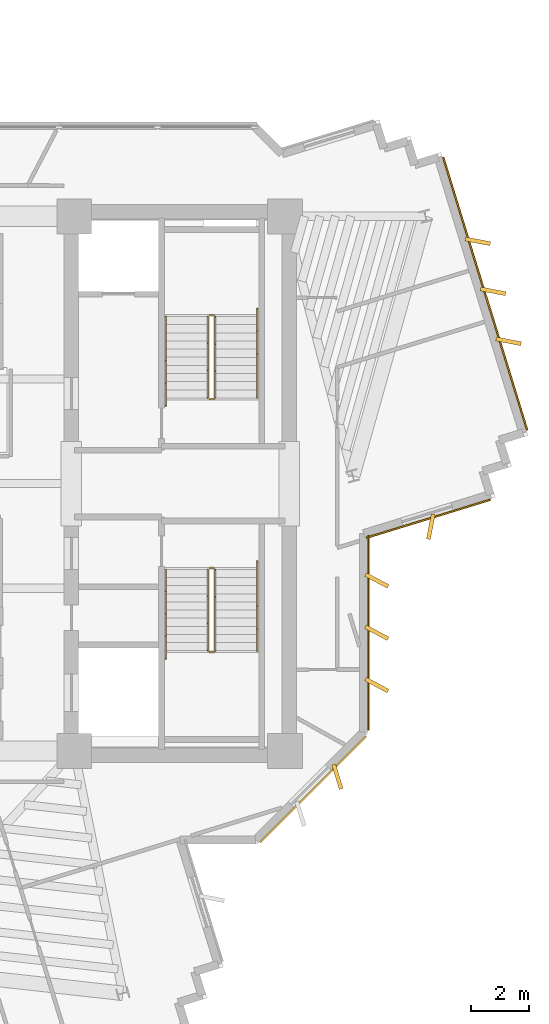
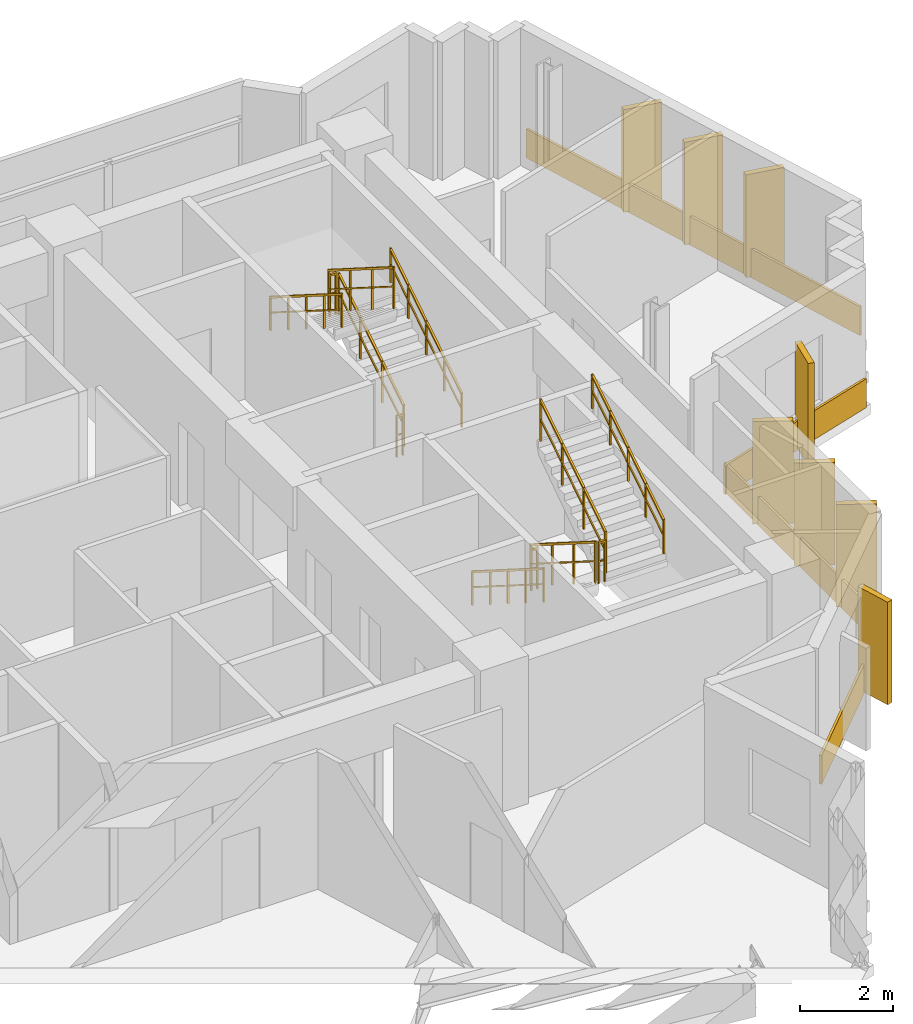
# One storey, part 12 of 13: 12 coverings, 12 railings.
"""IFC4 building model written with IfcOpenShell, lengths in metres."""

from ifc_helpers import new_model, si_unit, direction, frame, origin, origin_2d, place, context, subcontext, project, spatial, rectangle, extrude, source, transform, mapped, material, layer, layer_set, type_object, element, save


model = new_model("IFC4")

# Units and contexts
model_context = context("Model", 3, precision=1e-05, world=origin(), true_north=direction((0.0, 1.0)))
body_context = subcontext(model_context, "Body", "Model", "MODEL_VIEW")
ifc_project = project(units=[si_unit("LENGTHUNIT", "METRE"), si_unit("AREAUNIT", "SQUARE_METRE"), si_unit("VOLUMEUNIT", "CUBIC_METRE"), si_unit("PLANEANGLEUNIT", "RADIAN"), si_unit("MASSUNIT", "GRAM", prefix="KILO")], contexts=[model_context])

# Site, building, storey
site_placement = place(None, origin())
site = spatial("IfcSite", under=ifc_project, at=site_placement, CompositionType="ELEMENT")
building_placement = place(site_placement, origin())
building = spatial("IfcBuilding", under=site, at=building_placement, Name="Zahravan Cultural Tower", CompositionType="ELEMENT")
storey_placement = place(building_placement, frame((0.0, 0.0, 213.60009765625)))
storey = spatial("IfcBuildingStorey", under=building, at=storey_placement, Name="L50", CompositionType="ELEMENT", Elevation=213.60009765625)

# Railings
ifc_material_1 = material(Name="Steel ASTM A572 Grade 50", Category="steel")
railing_type_1 = type_object("IfcRailingType", Name="RL-STAIR-GRD1150", PredefinedType="BALUSTRADE", material=ifc_material_1)
railing_1_placement = place(storey_placement, frame((47.949951171875, 29.949951171875, 0.17724609375)))
element("IfcRailing", 1, at=railing_1_placement, inside=storey, type_object=railing_type_1, Name="L50 ST-E1 stair guard 1", PredefinedType="BALUSTRADE", context=body_context, shape_type="SweptSolid", body=[
    extrude(rectangle(XDim=0.05, YDim=0.05, at=origin_2d()), frame((0.0, 0.0, 1.0751953125), z_axis=(0.0, 0.844908973607, 0.534910110503), x_axis=(-1.0, 0.0, 0.0)), (0.0, 0.0, 1.0), 3.31396484375),
    extrude(rectangle(XDim=0.032, YDim=0.032, at=origin_2d()), frame((0.0, 0.0, 0.572021484375), z_axis=(0.0, 0.844908973607, 0.534910110503), x_axis=(-1.0, 0.0, 0.0)), (0.0, 0.0, 1.0), 3.31396484375),
    extrude(rectangle(XDim=0.04, YDim=0.04, at=origin_2d()), origin(), (0.0, 0.0, 1.0), 1.10009765625),
    extrude(rectangle(XDim=0.04, YDim=0.04, at=origin_2d()), frame((0.0, 0.933349609375, 0.5908203125)), (0.0, 0.0, 1.0), 1.10009765625),
    extrude(rectangle(XDim=0.04, YDim=0.04, at=origin_2d()), frame((0.0, 1.86669921875, 1.181884765625)), (0.0, 0.0, 1.0), 1.10009765625),
    extrude(rectangle(XDim=0.04, YDim=0.04, at=origin_2d()), frame((0.0, 2.800048828125, 1.772705078125)), (0.0, 0.0, 1.0), 1.10009765625),
])
railing_2_placement = place(storey_placement, frame((47.89990234375, 32.800048828125, 1.949951171875)))
element("IfcRailing", 2, at=railing_2_placement, inside=storey, type_object=railing_type_1, Name="L50 ST-E1 stair guard 2", PredefinedType="BALUSTRADE", context=body_context, shape_type="SweptSolid", body=[
    extrude(rectangle(XDim=0.05, YDim=0.05, at=origin_2d()), frame((0.0, 0.0, 1.0751953125), z_axis=(-1.0, 0.0, 0.0), x_axis=(0.0, -1.0, 0.0)), (0.0, 0.0, 1.0), 0.14990234375),
    extrude(rectangle(XDim=0.032, YDim=0.032, at=origin_2d()), frame((0.0, 0.0, 0.572021484375), z_axis=(-1.0, 0.0, 0.0), x_axis=(0.0, -1.0, 0.0)), (0.0, 0.0, 1.0), 0.14990234375),
    extrude(rectangle(XDim=0.04, YDim=0.04, at=origin_2d()), origin(), (0.0, 0.0, 1.0), 1.10009765625),
    extrude(rectangle(XDim=0.04, YDim=0.04, at=origin_2d()), frame((-0.14990234375, 0.0, 0.0)), (0.0, 0.0, 1.0), 1.10009765625),
])
railing_3_placement = place(storey_placement, frame((47.699951171875, 32.75, 2.127197265625)))
element("IfcRailing", 3, at=railing_3_placement, inside=storey, type_object=railing_type_1, Name="L50 ST-E1 stair guard 3", PredefinedType="BALUSTRADE", context=body_context, shape_type="SweptSolid", body=[
    extrude(rectangle(XDim=0.05, YDim=0.05, at=origin_2d()), frame((0.0, 0.0, 1.0751953125), z_axis=(0.0, -0.844908973607, 0.534910110503), x_axis=(1.0, 0.0, 0.0)), (0.0, 0.0, 1.0), 3.31396484375),
    extrude(rectangle(XDim=0.032, YDim=0.032, at=origin_2d()), frame((0.0, 0.0, 0.572021484375), z_axis=(0.0, -0.844908973607, 0.534910110503), x_axis=(1.0, 0.0, 0.0)), (0.0, 0.0, 1.0), 3.31396484375),
    extrude(rectangle(XDim=0.04, YDim=0.04, at=origin_2d()), origin(), (0.0, 0.0, 1.0), 1.10009765625),
    extrude(rectangle(XDim=0.04, YDim=0.04, at=origin_2d()), frame((0.0, -0.933349609375, 0.5908203125)), (0.0, 0.0, 1.0), 1.10009765625),
    extrude(rectangle(XDim=0.04, YDim=0.04, at=origin_2d()), frame((0.0, -1.86669921875, 1.181884765625)), (0.0, 0.0, 1.0), 1.10009765625),
    extrude(rectangle(XDim=0.04, YDim=0.04, at=origin_2d()), frame((0.0, -2.800048828125, 1.772705078125)), (0.0, 0.0, 1.0), 1.10009765625),
])
railing_4_placement = place(storey_placement, frame((47.89990234375, 29.89990234375, 0.0)))
element("IfcRailing", 4, at=railing_4_placement, inside=storey, type_object=railing_type_1, Name="L50 ST-E1 stair guard 4", PredefinedType="BALUSTRADE", context=body_context, shape_type="SweptSolid", body=[
    extrude(rectangle(XDim=0.05, YDim=0.05, at=origin_2d()), frame((0.0, 0.0, 1.0751953125), z_axis=(-1.0, 0.0, 0.0), x_axis=(0.0, -1.0, 0.0)), (0.0, 0.0, 1.0), 0.14990234375),
    extrude(rectangle(XDim=0.032, YDim=0.032, at=origin_2d()), frame((0.0, 0.0, 0.572021484375), z_axis=(-1.0, 0.0, 0.0), x_axis=(0.0, -1.0, 0.0)), (0.0, 0.0, 1.0), 0.14990234375),
    extrude(rectangle(XDim=0.04, YDim=0.04, at=origin_2d()), origin(), (0.0, 0.0, 1.0), 1.10009765625),
    extrude(rectangle(XDim=0.04, YDim=0.04, at=origin_2d()), frame((-0.14990234375, 0.0, 0.0)), (0.0, 0.0, 1.0), 1.10009765625),
])
railing_5_placement = place(storey_placement, frame((47.699951171875, 24.050048828125, 0.17724609375)))
element("IfcRailing", 5, at=railing_5_placement, inside=storey, type_object=railing_type_1, Name="L50 ST-E2 stair guard 1", PredefinedType="BALUSTRADE", context=body_context, shape_type="SweptSolid", body=[
    extrude(rectangle(XDim=0.05, YDim=0.05, at=origin_2d()), frame((0.0, 0.0, 1.0751953125), z_axis=(0.0, -0.844908973607, 0.534910110503), x_axis=(1.0, 0.0, 0.0)), (0.0, 0.0, 1.0), 3.31396484375),
    extrude(rectangle(XDim=0.032, YDim=0.032, at=origin_2d()), frame((0.0, 0.0, 0.572021484375), z_axis=(0.0, -0.844908973607, 0.534910110503), x_axis=(1.0, 0.0, 0.0)), (0.0, 0.0, 1.0), 3.31396484375),
    extrude(rectangle(XDim=0.04, YDim=0.04, at=origin_2d()), origin(), (0.0, 0.0, 1.0), 1.10009765625),
    extrude(rectangle(XDim=0.04, YDim=0.04, at=origin_2d()), frame((0.0, -0.933349609375, 0.5908203125)), (0.0, 0.0, 1.0), 1.10009765625),
    extrude(rectangle(XDim=0.04, YDim=0.04, at=origin_2d()), frame((0.0, -1.86669921875, 1.181884765625)), (0.0, 0.0, 1.0), 1.10009765625),
    extrude(rectangle(XDim=0.04, YDim=0.04, at=origin_2d()), frame((0.0, -2.800048828125, 1.772705078125)), (0.0, 0.0, 1.0), 1.10009765625),
])
railing_6_placement = place(storey_placement, frame((47.75, 21.199951171875, 1.949951171875)))
element("IfcRailing", 6, at=railing_6_placement, inside=storey, type_object=railing_type_1, Name="L50 ST-E2 stair guard 2", PredefinedType="BALUSTRADE", context=body_context, shape_type="SweptSolid", body=[
    extrude(rectangle(XDim=0.05, YDim=0.05, at=origin_2d()), frame((0.0, 0.0, 1.0751953125), z_axis=(1.0, 0.0, 0.0), x_axis=(0.0, 1.0, 0.0)), (0.0, 0.0, 1.0), 0.14990234375),
    extrude(rectangle(XDim=0.032, YDim=0.032, at=origin_2d()), frame((0.0, 0.0, 0.572021484375), z_axis=(1.0, 0.0, 0.0), x_axis=(0.0, 1.0, 0.0)), (0.0, 0.0, 1.0), 0.14990234375),
    extrude(rectangle(XDim=0.04, YDim=0.04, at=origin_2d()), origin(), (0.0, 0.0, 1.0), 1.10009765625),
    extrude(rectangle(XDim=0.04, YDim=0.04, at=origin_2d()), frame((0.14990234375, 0.0, 0.0)), (0.0, 0.0, 1.0), 1.10009765625),
])
railing_7_placement = place(storey_placement, frame((47.949951171875, 21.25, 2.127197265625)))
element("IfcRailing", 7, at=railing_7_placement, inside=storey, type_object=railing_type_1, Name="L50 ST-E2 stair guard 3", PredefinedType="BALUSTRADE", context=body_context, shape_type="SweptSolid", body=[
    extrude(rectangle(XDim=0.05, YDim=0.05, at=origin_2d()), frame((0.0, 0.0, 1.0751953125), z_axis=(0.0, 0.844908973607, 0.534910110503), x_axis=(-1.0, 0.0, 0.0)), (0.0, 0.0, 1.0), 3.31396484375),
    extrude(rectangle(XDim=0.032, YDim=0.032, at=origin_2d()), frame((0.0, 0.0, 0.572021484375), z_axis=(0.0, 0.844908973607, 0.534910110503), x_axis=(-1.0, 0.0, 0.0)), (0.0, 0.0, 1.0), 3.31396484375),
    extrude(rectangle(XDim=0.04, YDim=0.04, at=origin_2d()), origin(), (0.0, 0.0, 1.0), 1.10009765625),
    extrude(rectangle(XDim=0.04, YDim=0.04, at=origin_2d()), frame((0.0, 0.933349609375, 0.5908203125)), (0.0, 0.0, 1.0), 1.10009765625),
    extrude(rectangle(XDim=0.04, YDim=0.04, at=origin_2d()), frame((0.0, 1.86669921875, 1.181884765625)), (0.0, 0.0, 1.0), 1.10009765625),
    extrude(rectangle(XDim=0.04, YDim=0.04, at=origin_2d()), frame((0.0, 2.800048828125, 1.772705078125)), (0.0, 0.0, 1.0), 1.10009765625),
])
railing_8_placement = place(storey_placement, frame((47.75, 24.10009765625, 0.0)))
element("IfcRailing", 8, at=railing_8_placement, inside=storey, type_object=railing_type_1, Name="L50 ST-E2 stair guard 4", PredefinedType="BALUSTRADE", context=body_context, shape_type="SweptSolid", body=[
    extrude(rectangle(XDim=0.05, YDim=0.05, at=origin_2d()), frame((0.0, 0.0, 1.0751953125), z_axis=(1.0, 0.0, 0.0), x_axis=(0.0, 1.0, 0.0)), (0.0, 0.0, 1.0), 0.14990234375),
    extrude(rectangle(XDim=0.032, YDim=0.032, at=origin_2d()), frame((0.0, 0.0, 0.572021484375), z_axis=(1.0, 0.0, 0.0), x_axis=(0.0, 1.0, 0.0)), (0.0, 0.0, 1.0), 0.14990234375),
    extrude(rectangle(XDim=0.04, YDim=0.04, at=origin_2d()), origin(), (0.0, 0.0, 1.0), 1.10009765625),
    extrude(rectangle(XDim=0.04, YDim=0.04, at=origin_2d()), frame((0.14990234375, 0.0, 0.0)), (0.0, 0.0, 1.0), 1.10009765625),
])
railing_type_2 = type_object("IfcRailingType", Name="RL-STAIR-HR900", PredefinedType="HANDRAIL", material=ifc_material_1)
railing_9_placement = place(storey_placement, frame((49.39990234375, 29.949951171875, 0.17724609375)))
element("IfcRailing", 9, at=railing_9_placement, inside=storey, type_object=railing_type_2, Name="L50 ST-E1 stair handrail 1", PredefinedType="HANDRAIL", context=body_context, shape_type="SweptSolid", body=[
    extrude(rectangle(XDim=0.05, YDim=0.05, at=origin_2d()), frame((0.0, 0.0, 0.875), z_axis=(0.0, 0.844913916606, 0.534902302785), x_axis=(-1.0, 0.0, 0.0)), (0.0, 0.0, 1.0), 3.6455078125),
    extrude(rectangle(XDim=0.032, YDim=0.032, at=origin_2d()), frame((0.0, 0.0, 0.468017578125), z_axis=(0.0, 0.844913916606, 0.534902302785), x_axis=(-1.0, 0.0, 0.0)), (0.0, 0.0, 1.0), 3.6455078125),
    extrude(rectangle(XDim=0.04, YDim=0.04, at=origin_2d()), origin(), (0.0, 0.0, 1.0), 0.89990234375),
    extrude(rectangle(XDim=0.04, YDim=0.04, at=origin_2d()), frame((0.0, 0.77001953125, 0.487548828125)), (0.0, 0.0, 1.0), 0.89990234375),
    extrude(rectangle(XDim=0.04, YDim=0.04, at=origin_2d()), frame((0.0, 1.5400390625, 0.97509765625)), (0.0, 0.0, 1.0), 0.89990234375),
    extrude(rectangle(XDim=0.04, YDim=0.04, at=origin_2d()), frame((0.0, 2.31005859375, 1.46240234375)), (0.0, 0.0, 1.0), 0.89990234375),
    extrude(rectangle(XDim=0.04, YDim=0.04, at=origin_2d()), frame((0.0, 3.080078125, 1.949951171875)), (0.0, 0.0, 1.0), 0.89990234375),
])
for number, where, name in (
    (10, (46.25, 32.75, 2.127197265625), "L50 ST-E1 stair handrail 2"),
    (11, (46.25, 24.050048828125, 0.17724609375), "L50 ST-E2 stair handrail 1"),
):
    element("IfcRailing", number, at=place(storey_placement, frame(where)), inside=storey, type_object=railing_type_2, Name=name, PredefinedType="HANDRAIL", context=body_context, shape_type="SweptSolid", body=[
        extrude(rectangle(XDim=0.05, YDim=0.05, at=origin_2d()), frame((0.0, 0.0, 0.875), z_axis=(0.0, -0.844913916606, 0.534902302785), x_axis=(1.0, 0.0, 0.0)), (0.0, 0.0, 1.0), 3.6455078125),
        extrude(rectangle(XDim=0.032, YDim=0.032, at=origin_2d()), frame((0.0, 0.0, 0.468017578125), z_axis=(0.0, -0.844913916606, 0.534902302785), x_axis=(1.0, 0.0, 0.0)), (0.0, 0.0, 1.0), 3.6455078125),
        extrude(rectangle(XDim=0.04, YDim=0.04, at=origin_2d()), origin(), (0.0, 0.0, 1.0), 0.89990234375),
        extrude(rectangle(XDim=0.04, YDim=0.04, at=origin_2d()), frame((0.0, -0.77001953125, 0.487548828125)), (0.0, 0.0, 1.0), 0.89990234375),
        extrude(rectangle(XDim=0.04, YDim=0.04, at=origin_2d()), frame((0.0, -1.5400390625, 0.97509765625)), (0.0, 0.0, 1.0), 0.89990234375),
        extrude(rectangle(XDim=0.04, YDim=0.04, at=origin_2d()), frame((0.0, -2.31005859375, 1.46240234375)), (0.0, 0.0, 1.0), 0.89990234375),
        extrude(rectangle(XDim=0.04, YDim=0.04, at=origin_2d()), frame((0.0, -3.080078125, 1.949951171875)), (0.0, 0.0, 1.0), 0.89990234375),
    ])
railing_10_placement = place(storey_placement, frame((49.39990234375, 21.25, 2.127197265625)))
element("IfcRailing", 12, at=railing_10_placement, inside=storey, type_object=railing_type_2, Name="L50 ST-E2 stair handrail 2", PredefinedType="HANDRAIL", context=body_context, shape_type="SweptSolid", body=[
    extrude(rectangle(XDim=0.05, YDim=0.05, at=origin_2d()), frame((0.0, 0.0, 0.875), z_axis=(0.0, 0.844913916606, 0.534902302785), x_axis=(-1.0, 0.0, 0.0)), (0.0, 0.0, 1.0), 3.6455078125),
    extrude(rectangle(XDim=0.032, YDim=0.032, at=origin_2d()), frame((0.0, 0.0, 0.468017578125), z_axis=(0.0, 0.844913916606, 0.534902302785), x_axis=(-1.0, 0.0, 0.0)), (0.0, 0.0, 1.0), 3.6455078125),
    extrude(rectangle(XDim=0.04, YDim=0.04, at=origin_2d()), origin(), (0.0, 0.0, 1.0), 0.89990234375),
    extrude(rectangle(XDim=0.04, YDim=0.04, at=origin_2d()), frame((0.0, 0.77001953125, 0.487548828125)), (0.0, 0.0, 1.0), 0.89990234375),
    extrude(rectangle(XDim=0.04, YDim=0.04, at=origin_2d()), frame((0.0, 1.5400390625, 0.97509765625)), (0.0, 0.0, 1.0), 0.89990234375),
    extrude(rectangle(XDim=0.04, YDim=0.04, at=origin_2d()), frame((0.0, 2.31005859375, 1.46240234375)), (0.0, 0.0, 1.0), 0.89990234375),
    extrude(rectangle(XDim=0.04, YDim=0.04, at=origin_2d()), frame((0.0, 3.080078125, 1.949951171875)), (0.0, 0.0, 1.0), 0.89990234375),
])

# Coverings
ifc_material_2 = material(Name="Terracotta ceramic cladding", Category="masonry")
ifc_layer = layer(ifc_material_2, 0.06005859375)
ifc_layer_set = layer_set([ifc_layer], Name="Terracotta ceramic cladding")
covering_type = type_object("IfcCoveringType", Name="COV-CLAD-TC60", PredefinedType="CLADDING", material=ifc_layer_set)
shared_shape_1 = source(origin(), body_context, "Body", "SweptSolid", [
    extrude(rectangle(XDim=5.157958984375, YDim=0.06005859375, at=origin_2d()), origin(), (0.0, 0.0, 1.0), 0.760009765625),
])
covering_1_placement = place(storey_placement, frame((51.317626953125, 16.482421875, 0.02001953125), z_axis=(0.0, 0.0, 1.0), x_axis=(-0.707106781187, -0.707106781187, 0.0)))
element("IfcCovering", 13, at=covering_1_placement, inside=storey, type_object=covering_type, Name="L50 Terracotta Spandrel Cladding 13", PredefinedType="CLADDING", context=body_context, shape_type="MappedRepresentation", body=[
    mapped(shared_shape_1, transform((0.0, 0.0, 0.0), x_axis=(1.0, 0.0, 0.0), y_axis=(0.0, 1.0, 0.0), z_axis=(0.0, 0.0, 1.0), scale=1.0)),
])
shared_shape_2 = source(origin(), body_context, "Body", "SweptSolid", [
    extrude(rectangle(XDim=0.8798828125, YDim=0.139892578125, at=origin_2d()), origin(), (0.0, 0.0, 1.0), 2.699951171875),
])
for number, where, z_axis, x_axis, name in (
    (14, (56.985595703125, 35.339111328125, 0.0498046875), (0.0, 0.0, 1.0), (0.981958712696, -0.18909544299, 0.0), "L50 Herringbone Terracotta Fin 01"),
    (15, (57.514892578125, 33.618896484375, 0.0498046875), (0.0, 0.0, 1.0), (0.981958712696, -0.18909544299, 0.0), "L50 Herringbone Terracotta Fin 02"),
    (16, (58.044189453125, 31.8984375, 0.0498046875), (0.0, 0.0, 1.0), (0.981958712696, -0.18909544299, 0.0), "L50 Herringbone Terracotta Fin 03"),
    (17, (55.371337890625, 25.5205078125, 0.0498046875), (0.0, 0.0, 1.0), (-0.189112581374, -0.981955412209, 0.0), "L50 Herringbone Terracotta Fin 04"),
    (18, (53.510009765625, 23.669189453125, 0.0498046875), (0.0, 0.0, 1.0), (0.882947592859, -0.469471562786, 0.0), "L50 Herringbone Terracotta Fin 05"),
    (19, (53.510009765625, 21.869140625, 0.0498046875), (0.0, 0.0, 1.0), (0.882947592859, -0.469471562786, 0.0), "L50 Herringbone Terracotta Fin 06"),
    (20, (53.510009765625, 20.069091796875, 0.0498046875), (0.0, 0.0, 1.0), (0.882947592859, -0.469471562786, 0.0), "L50 Herringbone Terracotta Fin 07"),
    (21, (52.155517578125, 16.917236328125, 0.0498046875), (0.0, 0.0, 1.0), (0.292371704723, -0.956304755963, 0.0), "L50 Herringbone Terracotta Fin 08"),
):
    element("IfcCovering", number, at=place(storey_placement, frame(where, z_axis=z_axis, x_axis=x_axis)), inside=storey, type_object=covering_type, Name=name, PredefinedType="CLADDING", context=body_context, shape_type="MappedRepresentation", body=[
        mapped(shared_shape_2, transform((0.0, 0.0, 0.0), x_axis=(1.0, 0.0, 0.0), y_axis=(0.0, 1.0, 0.0), z_axis=(0.0, 0.0, 1.0), scale=1.0)),
    ])
shared_shape_3 = source(origin(), body_context, "Body", "SweptSolid", [
    extrude(rectangle(XDim=9.81982421875, YDim=0.06005859375, at=origin_2d()), origin(), (0.0, 0.0, 1.0), 0.760009765625),
])
covering_2_placement = place(storey_placement, frame((57.242431640625, 33.534912109375, 0.02001953125), z_axis=(0.0, 0.0, 1.0), x_axis=(0.294040325232, -0.955793014798, 0.0)))
element("IfcCovering", 22, at=covering_2_placement, inside=storey, type_object=covering_type, Name="L50 Terracotta Spandrel Cladding 06", PredefinedType="CLADDING", context=body_context, shape_type="MappedRepresentation", body=[
    mapped(shared_shape_3, transform((0.0, 0.0, 0.0), x_axis=(1.0, 0.0, 0.0), y_axis=(0.0, 1.0, 0.0), z_axis=(0.0, 0.0, 1.0), scale=1.0)),
])
shared_shape_4 = source(origin(), body_context, "Body", "SweptSolid", [
    extrude(rectangle(XDim=4.459716796875, YDim=0.06005859375, at=origin_2d()), origin(), (0.0, 0.0, 1.0), 0.760009765625),
])
covering_3_placement = place(storey_placement, frame((55.28759765625, 25.79296875, 0.02001953125), z_axis=(0.0, 0.0, 1.0), x_axis=(-0.955798146625, -0.294023643452, 0.0)))
element("IfcCovering", 23, at=covering_3_placement, inside=storey, type_object=covering_type, Name="L50 Terracotta Spandrel Cladding 11", PredefinedType="CLADDING", context=body_context, shape_type="MappedRepresentation", body=[
    mapped(shared_shape_4, transform((0.0, 0.0, 0.0), x_axis=(1.0, 0.0, 0.0), y_axis=(0.0, 1.0, 0.0), z_axis=(0.0, 0.0, 1.0), scale=1.0)),
])
shared_shape_5 = source(origin(), body_context, "Body", "SweptSolid", [
    extrude(rectangle(XDim=6.722412109375, YDim=0.06005859375, at=origin_2d()), origin(), (0.0, 0.0, 1.0), 0.760009765625),
])
covering_4_placement = place(storey_placement, frame((53.22509765625, 21.869140625, 0.02001953125), z_axis=(0.0, 0.0, 1.0), x_axis=(0.0, -1.0, 0.0)))
element("IfcCovering", 24, at=covering_4_placement, inside=storey, type_object=covering_type, Name="L50 Terracotta Spandrel Cladding 12", PredefinedType="CLADDING", context=body_context, shape_type="MappedRepresentation", body=[
    mapped(shared_shape_5, transform((0.0, 0.0, 0.0), x_axis=(1.0, 0.0, 0.0), y_axis=(0.0, 1.0, 0.0), z_axis=(0.0, 0.0, 1.0), scale=1.0)),
])

save(model, "model.ifc")
